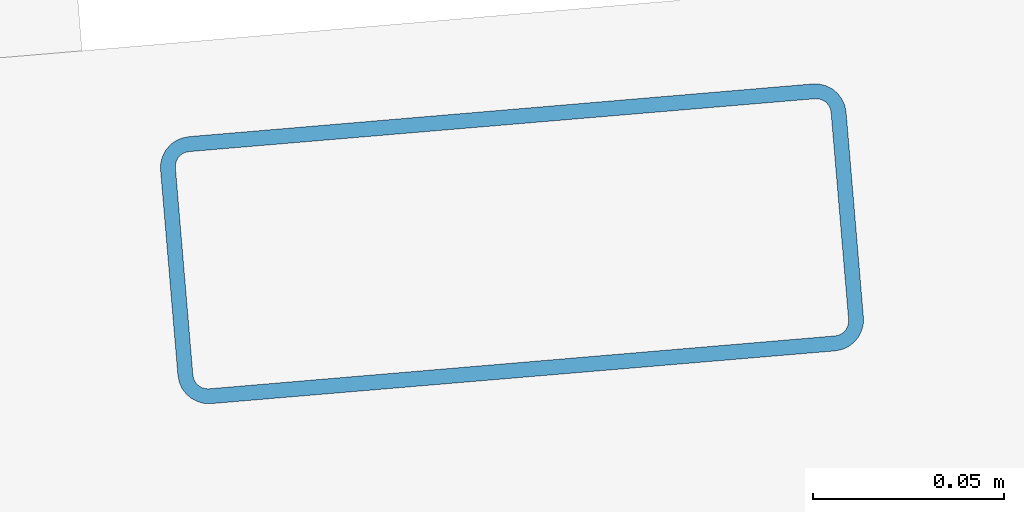
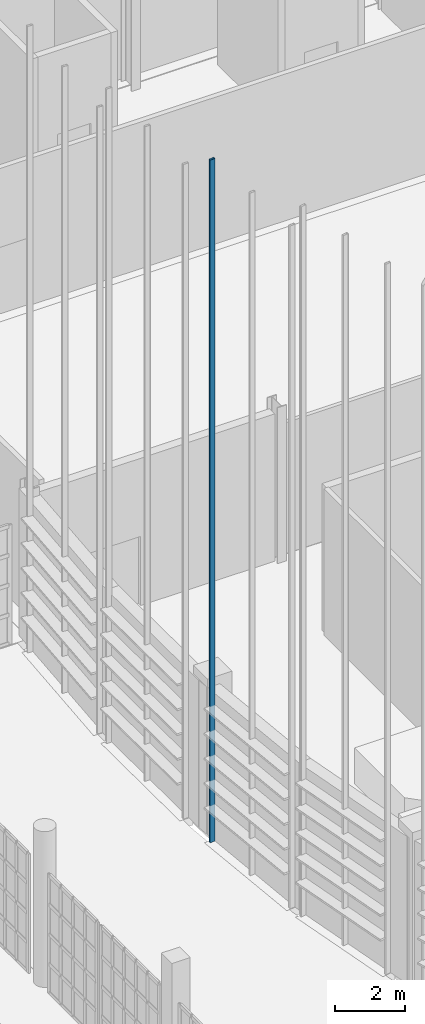
# One storey, part 89 of 372: 1 member.
"""IFC4 building model written with IfcOpenShell, lengths in metres."""

from ifc_helpers import new_model, si_unit, direction, frame, origin, origin_2d, place, context, subcontext, project, spatial, hollow_rectangle, extrude, material, material_profile, profile_set, type_object, element, save


model = new_model("IFC4")

# Units and contexts
model_context = context("Model", 3, precision=1e-05, world=origin(), true_north=direction((0.0, 1.0)))
body_context = subcontext(model_context, "Body", "Model", "MODEL_VIEW")
ifc_project = project(units=[si_unit("LENGTHUNIT", "METRE"), si_unit("AREAUNIT", "SQUARE_METRE"), si_unit("VOLUMEUNIT", "CUBIC_METRE"), si_unit("PLANEANGLEUNIT", "RADIAN"), si_unit("MASSUNIT", "GRAM", prefix="KILO")], contexts=[model_context])

# Site, building, storey
site_placement = place(None, origin())
site = spatial("IfcSite", under=ifc_project, at=site_placement, CompositionType="ELEMENT")
building_placement = place(site_placement, origin())
building = spatial("IfcBuilding", under=site, at=building_placement, Name="Kaelora Sail Theatre", CompositionType="ELEMENT")
storey_placement = place(building_placement, origin())
storey = spatial("IfcBuildingStorey", under=building, at=storey_placement, Name="L00", CompositionType="ELEMENT", Elevation=0.0)

# Member
ifc_material = material(Name="Anodised aluminium 6063-T6", Category="aluminium")
ifc_material_profile = material_profile(ifc_material, hollow_rectangle(XDim=0.070068359375, YDim=0.179931640625, WallThickness=0.00390625, InnerFilletRadius=0.00390625, OuterFilletRadius=0.008056640625, at=origin_2d()), Name="ALU-MULL 70x180x4")
ifc_profile_set = profile_set([ifc_material_profile], Name="Anodised aluminium 6063-T6")
member_type = type_object("IfcMemberType", Name="ARC-MEM-PST-160", PredefinedType="POST", material=ifc_profile_set)
member_placement = place(storey_placement, frame((25.268798828125, 49.75, 0.0), z_axis=(0.0, 0.0, 1.0), x_axis=(-0.084199594279, 0.996448909038, 0.0)))
element("IfcMember", 1, at=member_placement, inside=storey, type_object=member_type, Name="Main Theatre Sail Drum solar louvre vertical support post C20-3", PredefinedType="POST", context=body_context, shape_type="SweptSolid", body=[
    extrude(hollow_rectangle(XDim=0.070068359375, YDim=0.179931640625, WallThickness=0.00390625, InnerFilletRadius=0.00390625, OuterFilletRadius=0.008056640625, at=origin_2d()), origin(), (0.0, 0.0, 1.0), 23.66259765625),
])

save(model, "model.ifc")
